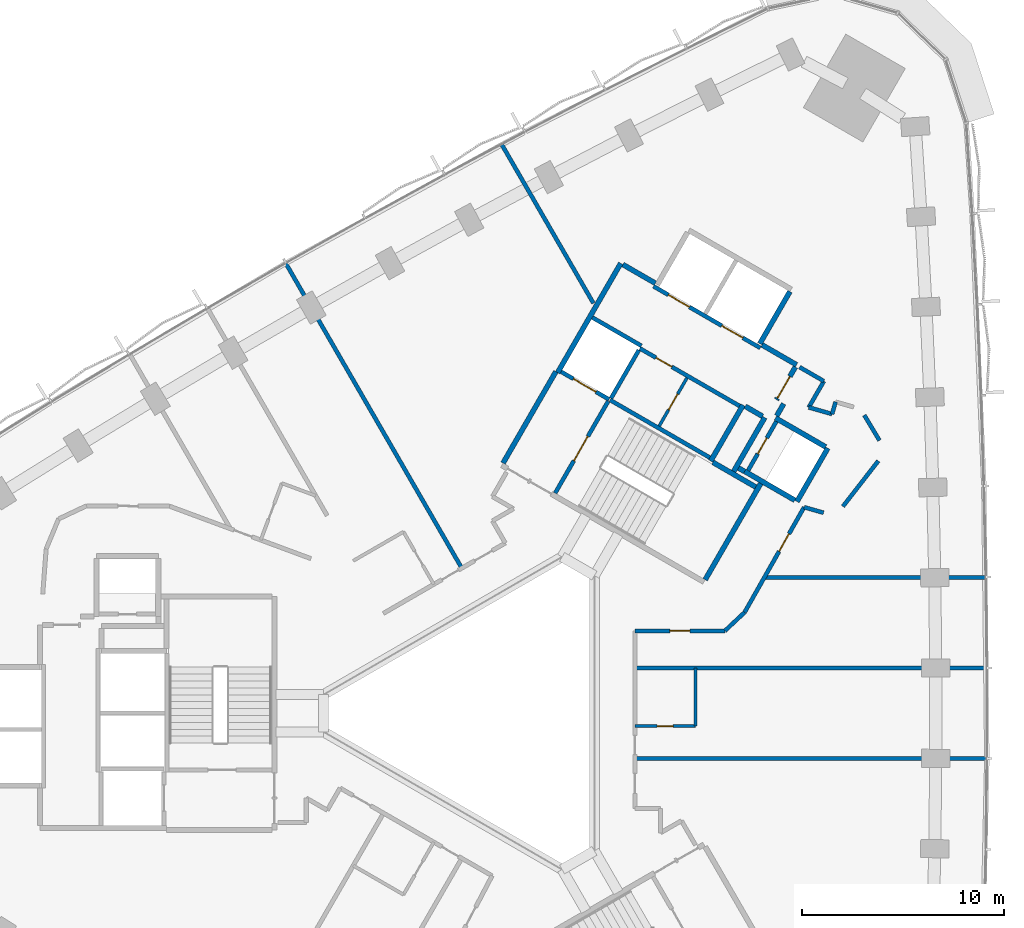
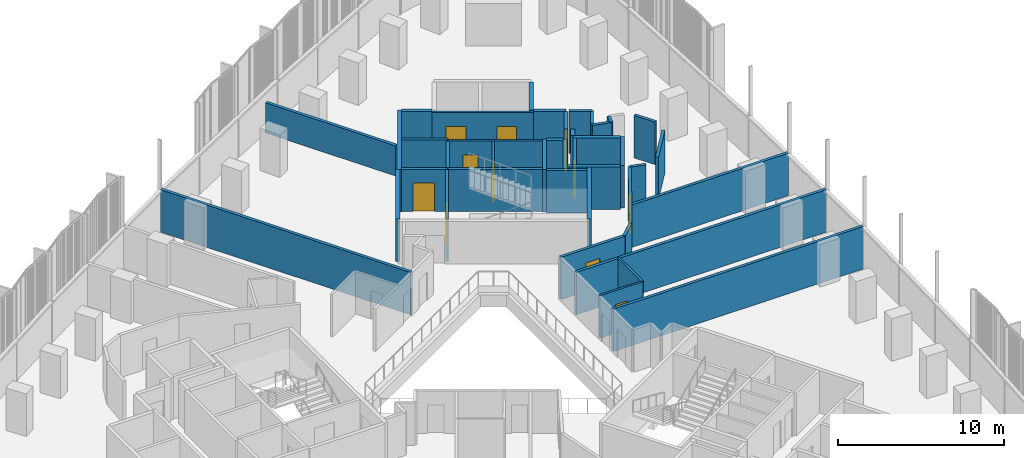
# One storey, part 12 of 16: 42 walls, 11 doors, 11 openings.
"""IFC4 building model written with IfcOpenShell, lengths in metres."""

from ifc_helpers import new_model, si_unit, direction, frame, frame_2d, origin, place, context, subcontext, project, spatial, rectangle, extrude, material, layer, layer_set, type_object, element, fill, save


model = new_model("IFC4")

# Units and contexts
model_context = context("Model", 3, precision=1e-05, world=origin(), true_north=direction((0.0, 1.0)))
body_context = subcontext(model_context, "Body", "Model", "MODEL_VIEW")
ifc_project = project(units=[si_unit("LENGTHUNIT", "METRE"), si_unit("AREAUNIT", "SQUARE_METRE"), si_unit("VOLUMEUNIT", "CUBIC_METRE"), si_unit("PLANEANGLEUNIT", "RADIAN"), si_unit("MASSUNIT", "GRAM", prefix="KILO")], contexts=[model_context])

# Site, building, storey
site_placement = place(None, origin())
site = spatial("IfcSite", under=ifc_project, at=site_placement, CompositionType="ELEMENT")
building_placement = place(site_placement, origin())
building = spatial("IfcBuilding", under=site, at=building_placement, Name="Tamra Quay Hotel Tower", CompositionType="ELEMENT")
storey_placement = place(building_placement, frame((0.0, 0.0, 56.60009765625)))
storey = spatial("IfcBuildingStorey", under=building, at=storey_placement, Name="L12", CompositionType="ELEMENT", Elevation=56.60009765625)

# Wall, openings, doors
ifc_material_1 = material(Name="Concrete M70", Category="concrete")
ifc_layer_1 = layer(ifc_material_1, 0.199951171875)
ifc_layer_set_1 = layer_set([ifc_layer_1], Name="Concrete M70 core wall 200")
wall_type_1 = type_object("IfcWallType", Name="Concrete M70 core wall 200", PredefinedType="SHEAR", material=ifc_layer_set_1)
wall_1_placement = place(storey_placement, frame((13.209716796875, 18.07958984375, 0.0), z_axis=(0.0, 0.0, 1.0), x_axis=(-0.866030299012, 0.499991521122, 0.0)))
wall_1 = element("IfcWall", 1, at=wall_1_placement, inside=storey, type_object=wall_type_1, Name="CW2", PredefinedType="SHEAR", context=body_context, shape_type="SweptSolid", body=[
    extrude(rectangle(XDim=6.10009765625, YDim=0.199951171875, at=frame_2d((3.050048828125, 0.0))), origin(), (0.0, 0.0, 1.0), 3.125),
])
opening_1_placement = place(wall_1_placement, frame((1.0, 0.0, 0.0)))
opening_1 = element("IfcOpeningElement", 2, at=opening_1_placement, cuts=wall_1, Name="Opening LD", PredefinedType="OPENING", context=body_context, shape_type="SweptSolid", body=[
    extrude(rectangle(XDim=1.199951171875, YDim=2.10009765625, at=frame_2d((0.60009765625, 1.050048828125))), frame((0.0, 0.10986328125, 0.0), z_axis=(0.0, -1.0, 0.0), x_axis=(1.0, 0.0, 0.0)), (0.0, 0.0, 1.0), 0.219970703125),
])
opening_2_placement = place(wall_1_placement, frame((4.05029296875, 0.0, 0.0)))
opening_2 = element("IfcOpeningElement", 3, at=opening_2_placement, cuts=wall_1, Name="Opening LD", PredefinedType="OPENING", context=body_context, shape_type="SweptSolid", body=[
    extrude(rectangle(XDim=1.199951171875, YDim=2.10009765625, at=frame_2d((0.60009765625, 1.050048828125))), frame((0.0, 0.10986328125, 0.0), z_axis=(0.0, -1.0, 0.0), x_axis=(1.0, 0.0, 0.0)), (0.0, 0.0, 1.0), 0.219970703125),
])
ifc_material_2 = material(Name="Landing door LD 1200 double door sliding")
door_type_1 = type_object("IfcDoorType", Name="Landing door LD 1200 double door sliding", OperationType="DOUBLE_DOOR_SLIDING", PredefinedType="DOOR", material=ifc_material_2)
door_1_placement = place(opening_1_placement, origin())
door_1 = element("IfcDoor", 4, at=door_1_placement, inside=storey, type_object=door_type_1, Name="LD", OperationType="DOUBLE_DOOR_SLIDING", OverallHeight=2.10009765625, OverallWidth=1.199951171875, PredefinedType="DOOR", context=body_context, shape_type="SweptSolid", body=[
    extrude(rectangle(XDim=1.199951171875, YDim=2.10009765625, at=frame_2d((0.60009765625, 1.050048828125))), frame((0.0, 0.02490234375, 0.0), z_axis=(0.0, -1.0, 0.0), x_axis=(1.0, 0.0, 0.0)), (0.0, 0.0, 1.0), 0.050048828125),
])
fill(opening_1, door_1)
door_2_placement = place(opening_2_placement, origin())
door_2 = element("IfcDoor", 5, at=door_2_placement, inside=storey, type_object=door_type_1, Name="LD", OperationType="DOUBLE_DOOR_SLIDING", OverallHeight=2.10009765625, OverallWidth=1.199951171875, PredefinedType="DOOR", context=body_context, shape_type="SweptSolid", body=[
    extrude(rectangle(XDim=1.199951171875, YDim=2.10009765625, at=frame_2d((0.60009765625, 1.050048828125))), frame((0.0, 0.02490234375, 0.0), z_axis=(0.0, -1.0, 0.0), x_axis=(1.0, 0.0, 0.0)), (0.0, 0.0, 1.0), 0.050048828125),
])
fill(opening_2, door_2)

# Wall
wall_2_placement = place(storey_placement, frame((5.774658203125, 15.501953125, 0.0), z_axis=(0.0, 0.0, 1.0), x_axis=(0.866020080793, -0.500009219579, 0.0)))
element("IfcWall", 6, at=wall_2_placement, inside=storey, type_object=wall_type_1, Name="CW2", PredefinedType="SHEAR", context=body_context, shape_type="SweptSolid", body=[
    extrude(rectangle(XDim=5.69921875, YDim=0.199951171875, at=frame_2d((2.849609375, 0.0))), origin(), (0.0, 0.0, 1.0), 3.125),
])

# Wall, opening, door
wall_3_placement = place(storey_placement, frame((12.18505859375, 15.20703125, 0.0), z_axis=(0.0, 0.0, 1.0), x_axis=(-0.866020080793, 0.500009219579, 0.0)))
wall_3 = element("IfcWall", 7, at=wall_3_placement, inside=storey, type_object=wall_type_1, Name="CW2", PredefinedType="SHEAR", context=body_context, shape_type="SweptSolid", body=[
    extrude(rectangle(XDim=5.69921875, YDim=0.199951171875, at=frame_2d((2.849609375, 0.0))), origin(), (0.0, 0.0, 1.0), 3.125),
])
opening_3_placement = place(wall_3_placement, frame((3.8740234375, 0.0, 0.0)))
opening_3 = element("IfcOpeningElement", 8, at=opening_3_placement, cuts=wall_3, Name="Opening D2", PredefinedType="OPENING", context=body_context, shape_type="SweptSolid", body=[
    extrude(rectangle(XDim=0.89990234375, YDim=2.10009765625, at=frame_2d((0.449951171875, 1.050048828125))), frame((0.0, 0.10986328125, 0.0), z_axis=(0.0, -1.0, 0.0), x_axis=(1.0, 0.0, 0.0)), (0.0, 0.0, 1.0), 0.219970703125),
])
ifc_material_3 = material(Name="Core door D2 900x2100 LH")
door_type_2 = type_object("IfcDoorType", Name="Core door D2 900x2100 LH", OperationType="NOTDEFINED", PredefinedType="DOOR", material=ifc_material_3)
door_3_placement = place(opening_3_placement, origin())
door_3 = element("IfcDoor", 9, at=door_3_placement, inside=storey, type_object=door_type_2, Name="D2", OperationType="SINGLE_SWING_LEFT", OverallHeight=2.10009765625, OverallWidth=0.89990234375, PredefinedType="DOOR", context=body_context, shape_type="SweptSolid", body=[
    extrude(rectangle(XDim=0.89990234375, YDim=2.10009765625, at=frame_2d((0.449951171875, 1.050048828125))), frame((0.0, 0.02490234375, 0.0), z_axis=(0.0, -1.0, 0.0), x_axis=(1.0, 0.0, 0.0)), (0.0, 0.0, 1.0), 0.050048828125),
])
fill(opening_3, door_3)

wall_4_placement = place(storey_placement, frame((3.056640625, 10.89453125, 0.0), z_axis=(0.0, 0.0, 1.0), x_axis=(0.499989418164, 0.866031513124, 0.0)))
wall_4 = element("IfcWall", 10, at=wall_4_placement, inside=storey, type_object=wall_type_1, Name="CW2", PredefinedType="SHEAR", context=body_context, shape_type="SweptSolid", body=[
    extrude(rectangle(XDim=5.2509765625, YDim=0.199951171875, at=frame_2d((2.62548828125, 0.0))), origin(), (0.0, 0.0, 1.0), 3.125),
])
opening_4_placement = place(wall_4_placement, frame((1.84912109375, 0.0, 0.0)))
opening_4 = element("IfcOpeningElement", 11, at=opening_4_placement, cuts=wall_4, Name="Opening FD2", PredefinedType="OPENING", context=body_context, shape_type="SweptSolid", body=[
    extrude(rectangle(XDim=1.39990234375, YDim=2.10009765625, at=frame_2d((0.699951171875, 1.050048828125))), frame((0.0, 0.10986328125, 0.0), z_axis=(0.0, -1.0, 0.0), x_axis=(1.0, 0.0, 0.0)), (0.0, 0.0, 1.0), 0.219970703125),
])
ifc_material_4 = material(Name="Core door FD2 1400x2100 RH")
door_type_3 = type_object("IfcDoorType", Name="Core door FD2 1400x2100 RH", OperationType="NOTDEFINED", PredefinedType="DOOR", material=ifc_material_4)
door_4_placement = place(opening_4_placement, origin())
door_4 = element("IfcDoor", 12, at=door_4_placement, inside=storey, type_object=door_type_3, Name="FD2", OperationType="SINGLE_SWING_RIGHT", OverallHeight=2.10009765625, OverallWidth=1.39990234375, PredefinedType="DOOR", context=body_context, shape_type="SweptSolid", body=[
    extrude(rectangle(XDim=1.39990234375, YDim=2.10009765625, at=frame_2d((0.699951171875, 1.050048828125))), frame((0.0, 0.02490234375, 0.0), z_axis=(0.0, -1.0, 0.0), x_axis=(1.0, 0.0, 0.0)), (0.0, 0.0, 1.0), 0.050048828125),
])
fill(opening_4, door_4)

wall_5_placement = place(storey_placement, frame((14.0078125, 14.442138671875, 0.0), z_axis=(0.0, 0.0, 1.0), x_axis=(-0.499986818241, -0.866033014143, 0.0)))
wall_5 = element("IfcWall", 13, at=wall_5_placement, inside=storey, type_object=wall_type_1, Name="CW2", PredefinedType="SHEAR", context=body_context, shape_type="SweptSolid", body=[
    extrude(rectangle(XDim=2.7978515625, YDim=0.199951171875, at=frame_2d((1.39892578125, 0.0))), origin(), (0.0, 0.0, 1.0), 3.125),
])
opening_5_placement = place(wall_5_placement, frame((0.948974609375, 0.0, 0.0)))
opening_5 = element("IfcOpeningElement", 14, at=opening_5_placement, cuts=wall_5, Name="Opening D1", PredefinedType="OPENING", context=body_context, shape_type="SweptSolid", body=[
    extrude(rectangle(XDim=0.89990234375, YDim=2.10009765625, at=frame_2d((0.449951171875, 1.050048828125))), frame((0.0, 0.10986328125, 0.0), z_axis=(0.0, -1.0, 0.0), x_axis=(1.0, 0.0, 0.0)), (0.0, 0.0, 1.0), 0.219970703125),
])
ifc_material_5 = material(Name="Core door D1 900x2100 RH")
door_type_4 = type_object("IfcDoorType", Name="Core door D1 900x2100 RH", OperationType="NOTDEFINED", PredefinedType="DOOR", material=ifc_material_5)
door_5_placement = place(opening_5_placement, origin())
door_5 = element("IfcDoor", 15, at=door_5_placement, inside=storey, type_object=door_type_4, Name="D1", OperationType="SINGLE_SWING_RIGHT", OverallHeight=2.10009765625, OverallWidth=0.89990234375, PredefinedType="DOOR", context=body_context, shape_type="SweptSolid", body=[
    extrude(rectangle(XDim=0.89990234375, YDim=2.10009765625, at=frame_2d((0.449951171875, 1.050048828125))), frame((0.0, 0.02490234375, 0.0), z_axis=(0.0, -1.0, 0.0), x_axis=(1.0, 0.0, 0.0)), (0.0, 0.0, 1.0), 0.050048828125),
])
fill(opening_5, door_5)

# Wall
wall_6_placement = place(storey_placement, frame((7.199462890625, 17.969970703125, 0.0), z_axis=(0.0, 0.0, 1.0), x_axis=(-0.499968400327, -0.866043647095, 0.0)))
element("IfcWall", 16, at=wall_6_placement, inside=storey, type_object=wall_type_1, Name="CW2", PredefinedType="SHEAR", context=body_context, shape_type="SweptSolid", body=[
    extrude(rectangle(XDim=2.749755859375, YDim=0.199951171875, at=frame_2d((1.375, 0.0))), origin(), (0.0, 0.0, 1.0), 3.125),
])

# Wall, opening, door
wall_7_placement = place(storey_placement, frame((5.72509765625, 15.530517578125, 0.0), z_axis=(0.0, 0.0, 1.0), x_axis=(-0.866037306777, 0.499979382845, 0.0)))
wall_7 = element("IfcWall", 17, at=wall_7_placement, inside=storey, type_object=wall_type_1, Name="CW2", PredefinedType="SHEAR", context=body_context, shape_type="SweptSolid", body=[
    extrude(rectangle(XDim=2.74169921875, YDim=0.199951171875, at=frame_2d((1.370849609375, 0.0))), origin(), (0.0, 0.0, 1.0), 3.125),
])
opening_6_placement = place(wall_7_placement, frame((0.742919921875, 0.0, 0.0)))
opening_6 = element("IfcOpeningElement", 18, at=opening_6_placement, cuts=wall_7, Name="Opening LD", PredefinedType="OPENING", context=body_context, shape_type="SweptSolid", body=[
    extrude(rectangle(XDim=1.300048828125, YDim=2.10009765625, at=frame_2d((0.64990234375, 1.050048828125))), frame((0.0, 0.10986328125, 0.0), z_axis=(0.0, -1.0, 0.0), x_axis=(1.0, 0.0, 0.0)), (0.0, 0.0, 1.0), 0.219970703125),
])
ifc_material_6 = material(Name="Landing door LD 1300 sliding to right")
door_type_5 = type_object("IfcDoorType", Name="Landing door LD 1300 sliding to right", OperationType="NOTDEFINED", PredefinedType="DOOR", material=ifc_material_6)
door_6_placement = place(opening_6_placement, origin())
door_6 = element("IfcDoor", 19, at=door_6_placement, inside=storey, type_object=door_type_5, Name="LD", OperationType="SLIDING_TO_RIGHT", OverallHeight=2.10009765625, OverallWidth=1.300048828125, PredefinedType="DOOR", context=body_context, shape_type="SweptSolid", body=[
    extrude(rectangle(XDim=1.300048828125, YDim=2.10009765625, at=frame_2d((0.64990234375, 1.050048828125))), frame((0.0, 0.02490234375, 0.0), z_axis=(0.0, -1.0, 0.0), x_axis=(1.0, 0.0, 0.0)), (0.0, 0.0, 1.0), 0.050048828125),
])
fill(opening_6, door_6)

# Walls
wall_8_placement = place(storey_placement, frame((4.900634765625, 19.5859375, 0.0), z_axis=(0.0, 0.0, 1.0), x_axis=(0.866022890907, -0.500004352405, 0.0)))
element("IfcWall", 20, at=wall_8_placement, inside=storey, type_object=wall_type_1, Name="CW2", PredefinedType="SHEAR", context=body_context, shape_type="SweptSolid", body=[
    extrude(rectangle(XDim=2.798828125, YDim=0.199951171875, at=frame_2d((1.3994140625, 0.0))), origin(), (0.0, 0.0, 1.0), 3.125),
])
ifc_layer_2 = layer(ifc_material_1, 0.25)
ifc_layer_set_2 = layer_set([ifc_layer_2], Name="Concrete M70 core wall 250")
wall_type_2 = type_object("IfcWallType", Name="Concrete M70 core wall 250", PredefinedType="SHEAR", material=ifc_layer_set_2)
wall_9_placement = place(storey_placement, frame((3.178955078125, 16.856201171875, 0.0), z_axis=(0.0, 0.0, 1.0), x_axis=(0.500004234368, 0.866022959057, 0.0)))
element("IfcWall", 21, at=wall_9_placement, inside=storey, type_object=wall_type_2, Name="CW1", PredefinedType="SHEAR", context=body_context, shape_type="SweptSolid", body=[
    extrude(rectangle(XDim=6.25, YDim=0.25, at=frame_2d((3.125, 0.0))), origin(), (0.0, 0.0, 1.0), 3.125),
])
wall_10_placement = place(storey_placement, frame((0.47998046875, 12.38134765625, 0.0), z_axis=(0.0, 0.0, 1.0), x_axis=(0.49999885962, 0.866026062182, 0.0)))
element("IfcWall", 22, at=wall_10_placement, inside=storey, type_object=wall_type_2, Name="CW1", PredefinedType="SHEAR", context=body_context, shape_type="SweptSolid", body=[
    extrude(rectangle(XDim=5.224609375, YDim=0.25, at=frame_2d((2.6123046875, 0.0))), origin(), (0.0, 0.0, 1.0), 3.125),
])
wall_11_placement = place(storey_placement, frame((13.237548828125, 11.3779296875, 0.0), z_axis=(0.0, 0.0, 1.0), x_axis=(-0.500008851346, -0.866020293397, 0.0)))
element("IfcWall", 23, at=wall_11_placement, inside=storey, type_object=wall_type_2, Name="CW1", PredefinedType="SHEAR", context=body_context, shape_type="SweptSolid", body=[
    extrude(rectangle(XDim=5.509765625, YDim=0.25, at=frame_2d((2.7548828125, 0.0))), origin(), (0.0, 0.0, 1.0), 3.125),
])
wall_12_placement = place(storey_placement, frame((12.356689453125, 15.25244140625, 0.0), z_axis=(0.0, 0.0, 1.0), x_axis=(-0.500028443584, -0.866008981251, 0.0)))
element("IfcWall", 24, at=wall_12_placement, inside=storey, type_object=wall_type_2, Name="CW1", PredefinedType="SHEAR", context=body_context, shape_type="SweptSolid", body=[
    extrude(rectangle(XDim=3.199951171875, YDim=0.25, at=frame_2d((1.60009765625, 0.0))), origin(), (0.0, 0.0, 1.0), 3.125),
])
wall_13_placement = place(storey_placement, frame((14.67626953125, 20.869873046875, 0.0), z_axis=(0.0, 0.0, 1.0), x_axis=(-0.499987686533, -0.866032512851, 0.0)))
element("IfcWall", 25, at=wall_13_placement, inside=storey, type_object=wall_type_2, Name="CW1", PredefinedType="SHEAR", context=body_context, shape_type="SweptSolid", body=[
    extrude(rectangle(XDim=2.974609375, YDim=0.25, at=frame_2d((1.4873046875, 0.0))), origin(), (0.0, 0.0, 1.0), 3.125),
])
wall_14_placement = place(storey_placement, frame((16.552001953125, 13.118896484375, 0.0), z_axis=(0.0, 0.0, 1.0), x_axis=(-0.499978833458, -0.866037623948, 0.0)))
element("IfcWall", 26, at=wall_14_placement, inside=storey, type_object=wall_type_2, Name="CW1", PredefinedType="SHEAR", context=body_context, shape_type="SweptSolid", body=[
    extrude(rectangle(XDim=3.050048828125, YDim=0.25, at=frame_2d((1.52490234375, 0.0))), origin(), (0.0, 0.0, 1.0), 3.125),
])
wall_15_placement = place(storey_placement, frame((14.91845703125, 10.540283203125, 0.0), z_axis=(0.0, 0.0, 1.0), x_axis=(-0.866063538972, 0.499933942099, 0.0)))
element("IfcWall", 27, at=wall_15_placement, inside=storey, type_object=wall_type_2, Name="CW1", PredefinedType="SHEAR", context=body_context, shape_type="SweptSolid", body=[
    extrude(rectangle(XDim=2.86474609375, YDim=0.25, at=frame_2d((1.432373046875, 0.0))), origin(), (0.0, 0.0, 1.0), 3.125),
])
wall_16_placement = place(storey_placement, frame((13.962646484375, 14.61376953125, 0.0), z_axis=(0.0, 0.0, 1.0), x_axis=(0.866042235819, -0.499970844928, 0.0)))
element("IfcWall", 28, at=wall_16_placement, inside=storey, type_object=wall_type_2, Name="CW1", PredefinedType="SHEAR", context=body_context, shape_type="SweptSolid", body=[
    extrude(rectangle(XDim=2.864501953125, YDim=0.25, at=frame_2d((1.43212890625, 0.0))), origin(), (0.0, 0.0, 1.0), 3.125),
])
wall_17_placement = place(storey_placement, frame((11.887939453125, 11.960693359375, 0.0), z_axis=(0.0, 0.0, 1.0), x_axis=(0.500003324108, 0.866023484601, 0.0)))
element("IfcWall", 29, at=wall_17_placement, inside=storey, type_object=wall_type_2, Name="CW1", PredefinedType="SHEAR", context=body_context, shape_type="SweptSolid", body=[
    extrude(rectangle(XDim=3.0849609375, YDim=0.25, at=frame_2d((1.54248046875, 0.0))), origin(), (0.0, 0.0, 1.0), 3.125),
])
wall_18_placement = place(storey_placement, frame((10.865234375, 12.41845703125, 0.0), z_axis=(0.0, 0.0, 1.0), x_axis=(0.866026229868, -0.499998569178, 0.0)))
element("IfcWall", 30, at=wall_18_placement, inside=storey, type_object=wall_type_2, Name="CW1", PredefinedType="SHEAR", context=body_context, shape_type="SweptSolid", body=[
    extrude(rectangle(XDim=2.44921875, YDim=0.25, at=frame_2d((1.224609375, 0.0))), origin(), (0.0, 0.0, 1.0), 3.125),
])
wall_19_placement = place(storey_placement, frame((13.29736328125, 18.23095703125, 0.0), z_axis=(0.0, 0.0, 1.0), x_axis=(0.866043531843, -0.499968599967, 0.0)))
element("IfcWall", 31, at=wall_19_placement, inside=storey, type_object=wall_type_2, Name="CW1", PredefinedType="SHEAR", context=body_context, shape_type="SweptSolid", body=[
    extrude(rectangle(XDim=1.974853515625, YDim=0.25, at=frame_2d((0.9873046875, 0.0))), origin(), (0.0, 0.0, 1.0), 3.125),
])
wall_20_placement = place(storey_placement, frame((6.41259765625, 22.2060546875, 0.0), z_axis=(0.0, 0.0, 1.0), x_axis=(0.866016279763, -0.500015802937, 0.0)))
element("IfcWall", 32, at=wall_20_placement, inside=storey, type_object=wall_type_2, Name="CW1", PredefinedType="SHEAR", context=body_context, shape_type="SweptSolid", body=[
    extrude(rectangle(XDim=1.84912109375, YDim=0.25, at=frame_2d((0.924560546875, 0.0))), origin(), (0.0, 0.0, 1.0), 3.125),
])

# Wall, opening, door
wall_21_placement = place(storey_placement, frame((14.94482421875, 17.13525390625, 0.0), z_axis=(0.0, 0.0, 1.0), x_axis=(-0.499983108224, -0.866035156036, 0.0)))
wall_21 = element("IfcWall", 33, at=wall_21_placement, inside=storey, type_object=wall_type_2, Name="CW1", PredefinedType="SHEAR", context=body_context, shape_type="SweptSolid", body=[
    extrude(rectangle(XDim=1.86474609375, YDim=0.25, at=frame_2d((0.932373046875, 0.0))), origin(), (0.0, 0.0, 1.0), 3.125),
])
opening_7_placement = place(wall_21_placement, frame((0.53466796875, 0.0, 0.0)))
opening_7 = element("IfcOpeningElement", 34, at=opening_7_placement, cuts=wall_21, Name="Opening FD3", PredefinedType="OPENING", context=body_context, shape_type="SweptSolid", body=[
    extrude(rectangle(XDim=1.25, YDim=2.10009765625, at=frame_2d((0.625, 1.050048828125))), frame((0.0, 0.135009765625, 0.0), z_axis=(0.0, -1.0, 0.0), x_axis=(1.0, 0.0, 0.0)), (0.0, 0.0, 1.0), 0.27001953125),
])
ifc_material_7 = material(Name="Core door FD3 1250x2100 LH")
door_type_6 = type_object("IfcDoorType", Name="Core door FD3 1250x2100 LH", OperationType="NOTDEFINED", PredefinedType="DOOR", material=ifc_material_7)
door_7_placement = place(opening_7_placement, origin())
door_7 = element("IfcDoor", 35, at=door_7_placement, inside=storey, type_object=door_type_6, Name="FD3", OperationType="SINGLE_SWING_LEFT", OverallHeight=2.10009765625, OverallWidth=1.25, PredefinedType="DOOR", context=body_context, shape_type="SweptSolid", body=[
    extrude(rectangle(XDim=1.25, YDim=2.10009765625, at=frame_2d((0.625, 1.050048828125))), frame((0.0, 0.02490234375, 0.0), z_axis=(0.0, -1.0, 0.0), x_axis=(1.0, 0.0, 0.0)), (0.0, 0.0, 1.0), 0.050048828125),
])
fill(opening_7, door_7)

# Walls
wall_22_placement = place(storey_placement, frame((13.322021484375, 14.695068359375, 0.0), z_axis=(0.0, 0.0, 1.0), x_axis=(-0.866017078145, 0.500014420154, 0.0)))
element("IfcWall", 36, at=wall_22_placement, inside=storey, type_object=wall_type_2, Name="CW1", PredefinedType="SHEAR", context=body_context, shape_type="SweptSolid", body=[
    extrude(rectangle(XDim=0.9892578125, YDim=0.25, at=frame_2d((0.49462890625, 0.0))), origin(), (0.0, 0.0, 1.0), 3.125),
])
wall_23_placement = place(storey_placement, frame((14.36767578125, 15.3154296875, 0.0), z_axis=(0.0, 0.0, 1.0), x_axis=(-0.499897359611, -0.866084655132, 0.0)))
element("IfcWall", 37, at=wall_23_placement, inside=storey, type_object=wall_type_2, Name="CW1", PredefinedType="SHEAR", context=body_context, shape_type="SweptSolid", body=[
    extrude(rectangle(XDim=0.684814453125, YDim=0.25, at=frame_2d((0.34228515625, 0.0))), origin(), (0.0, 0.0, 1.0), 3.125),
])
wall_24_placement = place(storey_placement, frame((12.4326171875, 11.9638671875, 0.0), z_axis=(0.0, 0.0, 1.0), x_axis=(-0.866055875208, 0.499947218231, 0.0)))
element("IfcWall", 38, at=wall_24_placement, inside=storey, type_object=wall_type_2, Name="CW1", PredefinedType="SHEAR", context=body_context, shape_type="SweptSolid", body=[
    extrude(rectangle(XDim=0.3447265625, YDim=0.25, at=frame_2d((0.17236328125, 0.0))), origin(), (0.0, 0.0, 1.0), 3.125),
])

# Wall, opening, door
ifc_material_8 = material(Name="Blockwork", Category="masonry")
ifc_layer_3 = layer(ifc_material_8, 0.14990234375)
ifc_layer_set_3 = layer_set([ifc_layer_3], Name="Core partition block 150")
wall_type_3 = type_object("IfcWallType", Name="Core partition block 150", PredefinedType="PARTITIONING", material=ifc_layer_set_3)
wall_25_placement = place(storey_placement, frame((8.20654296875, 14.214111328125, 0.0), z_axis=(0.0, 0.0, 1.0), x_axis=(0.499922376475, 0.866070215109, 0.0)))
wall_25 = element("IfcWall", 39, at=wall_25_placement, inside=storey, type_object=wall_type_3, Name="CP1", PredefinedType="PARTITIONING", context=body_context, shape_type="SweptSolid", body=[
    extrude(rectangle(XDim=2.74853515625, YDim=0.14990234375, at=frame_2d((1.374267578125, 0.0))), origin(), (0.0, 0.0, 1.0), 3.125),
])
opening_8_placement = place(wall_25_placement, frame((0.92431640625, 0.0, 0.0)))
opening_8 = element("IfcOpeningElement", 40, at=opening_8_placement, cuts=wall_25, Name="Opening D2", PredefinedType="OPENING", context=body_context, shape_type="SweptSolid", body=[
    extrude(rectangle(XDim=0.89990234375, YDim=2.10009765625, at=frame_2d((0.449951171875, 1.050048828125))), frame((0.0, 0.0849609375, 0.0), z_axis=(0.0, -1.0, 0.0), x_axis=(1.0, 0.0, 0.0)), (0.0, 0.0, 1.0), 0.169921875),
])
door_8_placement = place(opening_8_placement, origin())
door_8 = element("IfcDoor", 41, at=door_8_placement, inside=storey, type_object=door_type_2, Name="D2", OperationType="SINGLE_SWING_LEFT", OverallHeight=2.10009765625, OverallWidth=0.89990234375, PredefinedType="DOOR", context=body_context, shape_type="SweptSolid", body=[
    extrude(rectangle(XDim=0.89990234375, YDim=2.10009765625, at=frame_2d((0.449951171875, 1.050048828125))), frame((0.0, 0.02490234375, 0.0), z_axis=(0.0, -1.0, 0.0), x_axis=(1.0, 0.0, 0.0)), (0.0, 0.0, 1.0), 0.050048828125),
])
fill(opening_8, door_8)

ifc_material_9 = material(Name="Partition corridor wall")
ifc_layer_4 = layer(ifc_material_9, 0.199951171875)
ifc_layer_set_4 = layer_set([ifc_layer_4], Name="Partition corridor wall")
wall_type_4 = type_object("IfcWallType", Name="Partition corridor wall", PredefinedType="PARTITIONING", material=ifc_layer_set_4)
wall_26_placement = place(storey_placement, frame((7.0, 4.077880859375, 0.0), z_axis=(0.0, 0.0, 1.0), x_axis=(1.0, 0.0, 0.0)))
wall_26 = element("IfcWall", 42, at=wall_26_placement, inside=storey, type_object=wall_type_4, Name="W-C", PredefinedType="PARTITIONING", context=body_context, shape_type="SweptSolid", body=[
    extrude(rectangle(XDim=4.4580078125, YDim=0.199951171875, at=frame_2d((2.22900390625, 0.0))), origin(), (0.0, 0.0, 1.0), 3.125),
])
opening_9_placement = place(wall_26_placement, frame((1.72900390625, 0.0, 0.0)))
opening_9 = element("IfcOpeningElement", 43, at=opening_9_placement, cuts=wall_26, Name="Opening L12-D004", PredefinedType="OPENING", context=body_context, shape_type="SweptSolid", body=[
    extrude(rectangle(XDim=1.0, YDim=2.10009765625, at=frame_2d((0.5, 1.050048828125))), frame((0.0, 0.10986328125, 0.0), z_axis=(0.0, -1.0, 0.0), x_axis=(1.0, 0.0, 0.0)), (0.0, 0.0, 1.0), 0.219970703125),
])
ifc_material_10 = material(Name="Door guest room 1000x2100")
door_type_7 = type_object("IfcDoorType", Name="Door guest room 1000x2100", OperationType="NOTDEFINED", PredefinedType="DOOR", material=ifc_material_10)
door_9_placement = place(opening_9_placement, origin())
door_9 = element("IfcDoor", 44, at=door_9_placement, inside=storey, type_object=door_type_7, Name="L12-D004", OperationType="SINGLE_SWING_LEFT", OverallHeight=2.10009765625, OverallWidth=1.0, PredefinedType="DOOR", context=body_context, shape_type="SweptSolid", body=[
    extrude(rectangle(XDim=1.0, YDim=2.10009765625, at=frame_2d((0.5, 1.050048828125))), frame((0.0, 0.02490234375, 0.0), z_axis=(0.0, -1.0, 0.0), x_axis=(1.0, 0.0, 0.0)), (0.0, 0.0, 1.0), 0.050048828125),
])
fill(opening_9, door_9)

# Wall
wall_27_placement = place(storey_placement, frame((11.4580078125, 4.077880859375, 0.0), z_axis=(0.0, 0.0, 1.0), x_axis=(0.729936032318, 0.683515463412, 0.0)))
element("IfcWall", 45, at=wall_27_placement, inside=storey, type_object=wall_type_4, Name="W-C", PredefinedType="PARTITIONING", context=body_context, shape_type="SweptSolid", body=[
    extrude(rectangle(XDim=1.3359375, YDim=0.199951171875, at=frame_2d((0.66796875, 0.0))), origin(), (0.0, 0.0, 1.0), 3.125),
])

# Wall, opening, door
wall_28_placement = place(storey_placement, frame((12.43310546875, 4.991943359375, 0.0), z_axis=(0.0, 0.0, 1.0), x_axis=(0.492583054982, 0.870265438786, 0.0)))
wall_28 = element("IfcWall", 46, at=wall_28_placement, inside=storey, type_object=wall_type_4, Name="W-C", PredefinedType="PARTITIONING", context=body_context, shape_type="SweptSolid", body=[
    extrude(rectangle(XDim=5.981201171875, YDim=0.199951171875, at=frame_2d((2.99072265625, 0.0))), origin(), (0.0, 0.0, 1.0), 3.125),
])
opening_10_placement = place(wall_28_placement, frame((3.469482421875, 0.0, 0.0)))
opening_10 = element("IfcOpeningElement", 47, at=opening_10_placement, cuts=wall_28, Name="Opening L12-D005", PredefinedType="OPENING", context=body_context, shape_type="SweptSolid", body=[
    extrude(rectangle(XDim=1.0, YDim=2.10009765625, at=frame_2d((0.5, 1.050048828125))), frame((0.0, 0.10986328125, 0.0), z_axis=(0.0, -1.0, 0.0), x_axis=(1.0, 0.0, 0.0)), (0.0, 0.0, 1.0), 0.219970703125),
])
door_10_placement = place(opening_10_placement, origin())
door_10 = element("IfcDoor", 48, at=door_10_placement, inside=storey, type_object=door_type_7, Name="L12-D005", OperationType="SINGLE_SWING_LEFT", OverallHeight=2.10009765625, OverallWidth=1.0, PredefinedType="DOOR", context=body_context, shape_type="SweptSolid", body=[
    extrude(rectangle(XDim=1.0, YDim=2.10009765625, at=frame_2d((0.5, 1.050048828125))), frame((0.0, 0.02490234375, 0.0), z_axis=(0.0, -1.0, 0.0), x_axis=(1.0, 0.0, 0.0)), (0.0, 0.0, 1.0), 0.050048828125),
])
fill(opening_10, door_10)

# Walls
wall_29_placement = place(storey_placement, frame((15.155517578125, 17.130126953125, 0.0), z_axis=(0.0, 0.0, 1.0), x_axis=(0.865755062894, -0.500467952093, 0.0)))
element("IfcWall", 49, at=wall_29_placement, inside=storey, type_object=wall_type_4, Name="W-C", PredefinedType="PARTITIONING", context=body_context, shape_type="SweptSolid", body=[
    extrude(rectangle(XDim=1.388916015625, YDim=0.199951171875, at=frame_2d((0.6943359375, 0.0))), origin(), (0.0, 0.0, 1.0), 3.125),
])
wall_30_placement = place(storey_placement, frame((15.3798828125, 10.197021484375, 0.0), z_axis=(0.0, 0.0, 1.0), x_axis=(0.961523947641, -0.274721127897, 0.0)))
element("IfcWall", 50, at=wall_30_placement, inside=storey, type_object=wall_type_4, Name="W-C", PredefinedType="PARTITIONING", context=body_context, shape_type="SweptSolid", body=[
    extrude(rectangle(XDim=1.000732421875, YDim=0.199951171875, at=frame_2d((0.50048828125, 0.0))), origin(), (0.0, 0.0, 1.0), 3.125),
])
wall_31_placement = place(storey_placement, frame((15.60888671875, 15.135986328125, 0.0), z_axis=(0.0, 0.0, 1.0), x_axis=(0.499501622561, 0.866312950993, 0.0)))
element("IfcWall", 51, at=wall_31_placement, inside=storey, type_object=wall_type_4, Name="W-C", PredefinedType="PARTITIONING", context=body_context, shape_type="SweptSolid", body=[
    extrude(rectangle(XDim=1.49951171875, YDim=0.199951171875, at=frame_2d((0.749755859375, 0.0))), origin(), (0.0, 0.0, 1.0), 3.125),
])
wall_32_placement = place(storey_placement, frame((15.60888671875, 15.135986328125, 0.0), z_axis=(0.0, 0.0, 1.0), x_axis=(0.961662011825, -0.274237442763, 0.0)))
element("IfcWall", 52, at=wall_32_placement, inside=storey, type_object=wall_type_4, Name="W-C", PredefinedType="PARTITIONING", context=body_context, shape_type="SweptSolid", body=[
    extrude(rectangle(XDim=1.199951171875, YDim=0.199951171875, at=frame_2d((0.60009765625, 0.0))), origin(), (0.0, 0.0, 1.0), 3.125),
])
wall_33_placement = place(storey_placement, frame((16.762939453125, 14.806884765625, 0.0), z_axis=(0.0, 0.0, 1.0), x_axis=(0.274464026122, 0.961597368115, 0.0)))
element("IfcWall", 53, at=wall_33_placement, inside=storey, type_object=wall_type_4, Name="W-C", PredefinedType="PARTITIONING", context=body_context, shape_type="SweptSolid", body=[
    extrude(rectangle(XDim=0.627197265625, YDim=0.199951171875, at=frame_2d((0.3134765625, 0.0))), origin(), (0.0, 0.0, 1.0), 3.125),
])
wall_34_placement = place(storey_placement, frame((17.299072265625, 10.235107421875, 0.0), z_axis=(0.0, 0.0, 1.0), x_axis=(0.61377461522, 0.789481299153, 0.0)))
element("IfcWall", 54, at=wall_34_placement, inside=storey, type_object=wall_type_4, Name="W-C", PredefinedType="PARTITIONING", context=body_context, shape_type="SweptSolid", body=[
    extrude(rectangle(XDim=2.851318359375, YDim=0.199951171875, at=frame_2d((1.42578125, 0.0))), origin(), (0.0, 0.0, 1.0), 3.125),
])
wall_35_placement = place(storey_placement, frame((18.360107421875, 14.7509765625, 0.0), z_axis=(0.0, 0.0, 1.0), x_axis=(0.514495755428, -0.857492925713, 0.0)))
element("IfcWall", 55, at=wall_35_placement, inside=storey, type_object=wall_type_4, Name="W-C", PredefinedType="PARTITIONING", context=body_context, shape_type="SweptSolid", body=[
    extrude(rectangle(XDim=1.457763671875, YDim=0.199951171875, at=frame_2d((0.72900390625, 0.0))), origin(), (0.0, 0.0, 1.0), 3.125),
])

# Wall, opening, door
ifc_material_11 = material(Name="Partition en-suite wall")
ifc_layer_5 = layer(ifc_material_11, 0.14990234375)
ifc_layer_set_5 = layer_set([ifc_layer_5], Name="Partition en-suite wall")
wall_type_5 = type_object("IfcWallType", Name="Partition en-suite wall", PredefinedType="PARTITIONING", material=ifc_layer_set_5)
wall_36_placement = place(storey_placement, frame((7.0, -0.635009765625, 0.0), z_axis=(0.0, 0.0, 1.0), x_axis=(1.0, 0.0, 0.0)))
wall_36 = element("IfcWall", 56, at=wall_36_placement, inside=storey, type_object=wall_type_5, Name="W-E", PredefinedType="PARTITIONING", context=body_context, shape_type="SweptSolid", body=[
    extrude(rectangle(XDim=3.0, YDim=0.14990234375, at=frame_2d((1.5, 0.0))), origin(), (0.0, 0.0, 1.0), 3.125),
])
opening_11_placement = place(wall_36_placement, frame((1.10009765625, 0.0, 0.0)))
opening_11 = element("IfcOpeningElement", 57, at=opening_11_placement, cuts=wall_36, Name="Opening L12-D003", PredefinedType="OPENING", context=body_context, shape_type="SweptSolid", body=[
    extrude(rectangle(XDim=0.800048828125, YDim=2.10009765625, at=frame_2d((0.39990234375, 1.050048828125))), frame((0.0, 0.0849609375, 0.0), z_axis=(0.0, -1.0, 0.0), x_axis=(1.0, 0.0, 0.0)), (0.0, 0.0, 1.0), 0.169921875),
])
ifc_material_12 = material(Name="Door en-suite 800x2100")
door_type_8 = type_object("IfcDoorType", Name="Door en-suite 800x2100", OperationType="NOTDEFINED", PredefinedType="DOOR", material=ifc_material_12)
door_11_placement = place(opening_11_placement, origin())
door_11 = element("IfcDoor", 58, at=door_11_placement, inside=storey, type_object=door_type_8, Name="L12-D003", OperationType="SINGLE_SWING_LEFT", OverallHeight=2.10009765625, OverallWidth=0.800048828125, PredefinedType="DOOR", context=body_context, shape_type="SweptSolid", body=[
    extrude(rectangle(XDim=0.800048828125, YDim=2.10009765625, at=frame_2d((0.39990234375, 1.050048828125))), frame((0.0, 0.02490234375, 0.0), z_axis=(0.0, -1.0, 0.0), x_axis=(1.0, 0.0, 0.0)), (0.0, 0.0, 1.0), 0.050048828125),
])
fill(opening_11, door_11)

# Walls
wall_37_placement = place(storey_placement, frame((10.0, -0.635009765625, 0.0), z_axis=(0.0, 0.0, 1.0), x_axis=(0.0, 1.0, 0.0)))
element("IfcWall", 59, at=wall_37_placement, inside=storey, type_object=wall_type_5, Name="W-E", PredefinedType="PARTITIONING", context=body_context, shape_type="SweptSolid", body=[
    extrude(rectangle(XDim=2.8701171875, YDim=0.14990234375, at=frame_2d((1.43505859375, 0.0))), origin(), (0.0, 0.0, 1.0), 3.125),
])
ifc_material_13 = material(Name="Partition party wall")
ifc_layer_6 = layer(ifc_material_13, 0.199951171875)
ifc_layer_set_6 = layer_set([ifc_layer_6], Name="Partition party wall")
wall_type_6 = type_object("IfcWallType", Name="Partition party wall", PredefinedType="PARTITIONING", material=ifc_layer_set_6)
wall_38_placement = place(storey_placement, frame((-10.2763671875, 22.2705078125, 0.0), z_axis=(0.0, 0.0, 1.0), x_axis=(0.499975954304, -0.866039286129, 0.0)))
element("IfcWall", 60, at=wall_38_placement, inside=storey, type_object=wall_type_6, Name="W-P", PredefinedType="PARTITIONING", context=body_context, shape_type="SweptSolid", body=[
    extrude(rectangle(XDim=17.423583984375, YDim=0.199951171875, at=frame_2d((8.7119140625, 0.0))), origin(), (0.0, 0.0, 1.0), 3.125),
])
wall_39_placement = place(storey_placement, frame((0.411865234375, 28.153076171875, 0.0), z_axis=(0.0, 0.0, 1.0), x_axis=(0.500039143415, -0.866002803143, 0.0)))
element("IfcWall", 61, at=wall_39_placement, inside=storey, type_object=wall_type_6, Name="W-P", PredefinedType="PARTITIONING", context=body_context, shape_type="SweptSolid", body=[
    extrude(rectangle(XDim=9.075439453125, YDim=0.199951171875, at=frame_2d((4.53759765625, 0.0))), origin(), (0.0, 0.0, 1.0), 2.224853515625),
])
wall_40_placement = place(storey_placement, frame((7.0, 2.235107421875, 0.0), z_axis=(0.0, 0.0, 1.0), x_axis=(1.0, 0.0, 0.0)))
element("IfcWall", 62, at=wall_40_placement, inside=storey, type_object=wall_type_6, Name="W-P", PredefinedType="PARTITIONING", context=body_context, shape_type="SweptSolid", body=[
    extrude(rectangle(XDim=17.425048828125, YDim=0.199951171875, at=frame_2d((8.71240234375, 0.0))), origin(), (0.0, 0.0, 1.0), 3.125),
])
wall_41_placement = place(storey_placement, frame((7.0009765625, -2.235107421875, 0.0), z_axis=(0.0, 0.0, 1.0), x_axis=(1.0, 0.0, 0.0)))
element("IfcWall", 63, at=wall_41_placement, inside=storey, type_object=wall_type_6, Name="W-P", PredefinedType="PARTITIONING", context=body_context, shape_type="SweptSolid", body=[
    extrude(rectangle(XDim=17.424072265625, YDim=0.199951171875, at=frame_2d((8.7119140625, 0.0))), origin(), (0.0, 0.0, 1.0), 3.125),
])
wall_42_placement = place(storey_placement, frame((13.403076171875, 6.7060546875, 0.0), z_axis=(0.0, 0.0, 1.0), x_axis=(1.0, 0.0, 0.0)))
element("IfcWall", 64, at=wall_42_placement, inside=storey, type_object=wall_type_6, Name="W-P", PredefinedType="PARTITIONING", context=body_context, shape_type="SweptSolid", body=[
    extrude(rectangle(XDim=10.9736328125, YDim=0.199951171875, at=frame_2d((5.48681640625, 0.0))), origin(), (0.0, 0.0, 1.0), 3.125),
])

save(model, "model.ifc")
